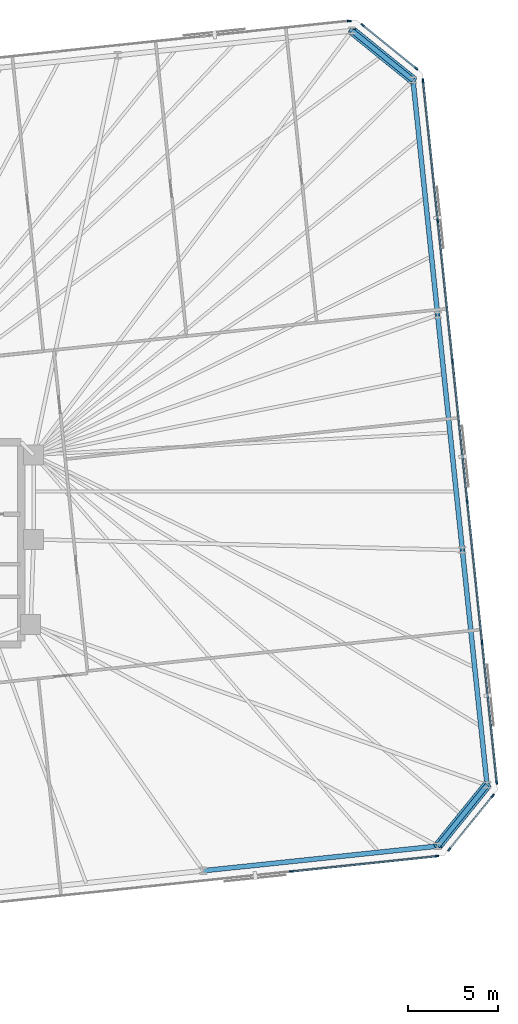
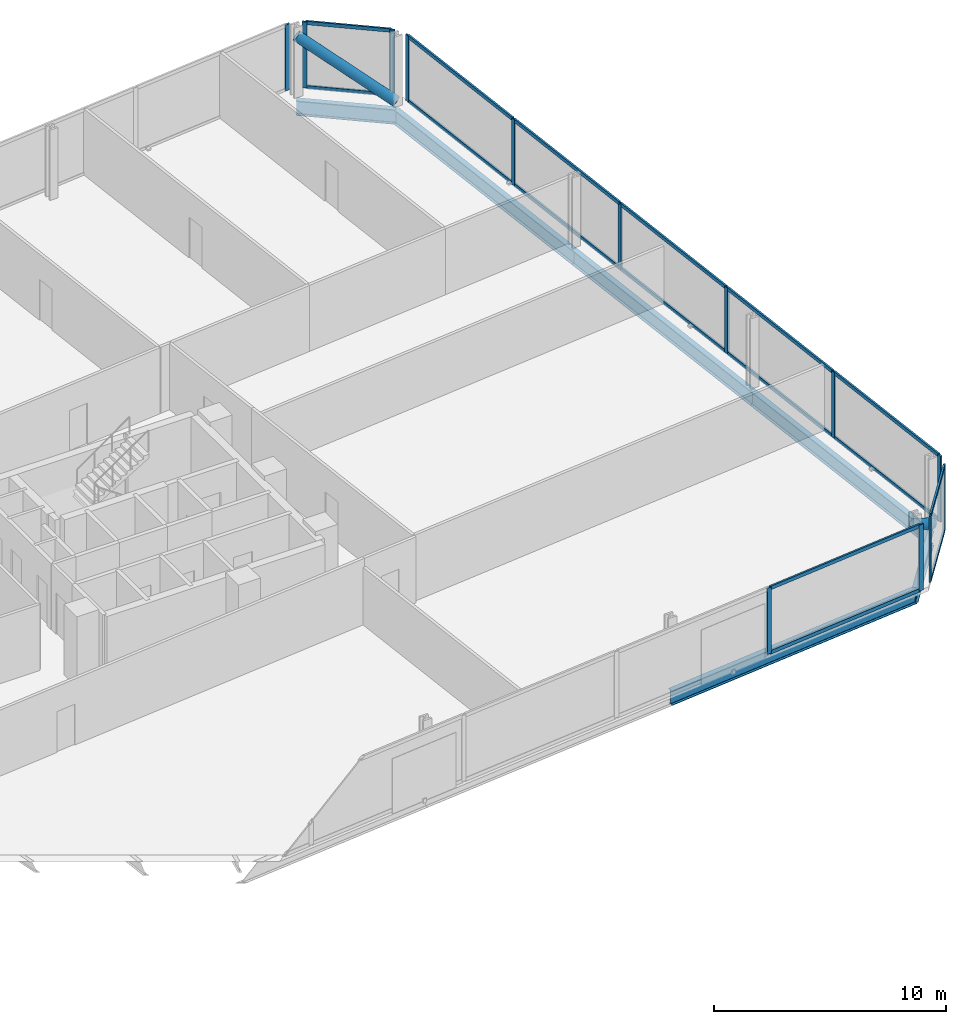
# One storey, part 12 of 18: 31 members, 6 beams, 5 elements without a shape of their own.
"""IFC4 building model written with IfcOpenShell, lengths in metres."""

from ifc_helpers import new_model, si_unit, direction, frame, origin, origin_2d, place, context, subcontext, project, spatial, rectangle, hollow_circle, i_section, extrude, material, material_profile, profile_set, type_object, element, aggregate, save


model = new_model("IFC4")

# Units and contexts
model_context = context("Model", 3, precision=1e-05, world=origin(), true_north=direction((0.0, 1.0)))
body_context = subcontext(model_context, "Body", "Model", "MODEL_VIEW")
ifc_project = project(units=[si_unit("LENGTHUNIT", "METRE"), si_unit("AREAUNIT", "SQUARE_METRE"), si_unit("VOLUMEUNIT", "CUBIC_METRE"), si_unit("PLANEANGLEUNIT", "RADIAN"), si_unit("MASSUNIT", "GRAM", prefix="KILO")], contexts=[model_context])

# Site, building, storey
site_placement = place(None, origin())
site = spatial("IfcSite", under=ifc_project, at=site_placement, CompositionType="ELEMENT")
building_placement = place(site_placement, origin())
building = spatial("IfcBuilding", under=site, at=building_placement, Name="Menara Jurai Vektor", CompositionType="ELEMENT")
storey_placement = place(building_placement, frame((0.0, 0.0, 128.10009765625)))
storey = spatial("IfcBuildingStorey", under=building, at=storey_placement, Name="L32", CompositionType="ELEMENT", Elevation=128.10009765625)

# Curtain wall, members
ifc_material_1 = material(Name="Anodised Pale Aluminium & Low-E Double Glazing", Category="aluminium")
curtain_wall_type = type_object("IfcCurtainWallType", Name="CW-BLK2", PredefinedType="NOTDEFINED", material=ifc_material_1)
curtain_wall_1_placement = place(storey_placement, origin())
curtain_wall_1 = element("IfcCurtainWall", 1, at=curtain_wall_1_placement, inside=storey, type_object=curtain_wall_type, Name="Unitised Curtain Wall L32 F01", PredefinedType="NOTDEFINED")
ifc_material_2 = material(Name="Anodised Pale Aluminium Mullion", Category="aluminium")
ifc_material_profile_1 = material_profile(ifc_material_2, rectangle(XDim=0.090087890625, YDim=0.219970703125, at=origin_2d()), Name="ALU MUL 90x220")
ifc_profile_set_1 = profile_set([ifc_material_profile_1], Name="Anodised Pale Aluminium Mullion")
member_type_1 = type_object("IfcMemberType", Name="CW-BLK2-MUL", PredefinedType="MULLION", material=ifc_profile_set_1)
member_1_placement = place(storey_placement, frame((29.52392578125, -18.169189453125, 0.0), z_axis=(0.0, 0.0, 1.0), x_axis=(-0.104528634935, 0.994521877325, 0.0)))
member_1 = element("IfcMember", 2, at=member_1_placement, type_object=member_type_1, Name="CW-02 mullion 8", PredefinedType="MULLION", context=body_context, shape_type="SweptSolid", body=[
    extrude(rectangle(XDim=0.090087890625, YDim=0.219970703125, at=origin_2d()), origin(), (0.0, 0.0, 1.0), 3.474853515625),
])
member_2_placement = place(storey_placement, frame((37.5771484375, -17.32275390625, 0.0), z_axis=(0.0, 0.0, 1.0), x_axis=(-0.104528634935, 0.994521877325, 0.0)))
member_2 = element("IfcMember", 3, at=member_2_placement, type_object=member_type_1, Name="CW-02 mullion 9", PredefinedType="MULLION", context=body_context, shape_type="SweptSolid", body=[
    extrude(rectangle(XDim=0.090087890625, YDim=0.219970703125, at=origin_2d()), origin(), (0.0, 0.0, 1.0), 3.474853515625),
])

curtain_wall_2_placement = place(storey_placement, origin())
curtain_wall_2 = element("IfcCurtainWall", 4, at=curtain_wall_2_placement, inside=storey, type_object=curtain_wall_type, Name="Unitised Curtain Wall L32 F02", PredefinedType="NOTDEFINED")
member_3_placement = place(storey_placement, frame((38.267333984375, -16.9482421875, 0.0), z_axis=(0.0, 0.0, 1.0), x_axis=(-0.777129222223, 0.62934106172, 0.0)))
member_3 = element("IfcMember", 5, at=member_3_placement, type_object=member_type_1, Name="CW-02 mullion 1", PredefinedType="MULLION", context=body_context, shape_type="SweptSolid", body=[
    extrude(rectangle(XDim=0.090087890625, YDim=0.219970703125, at=origin_2d()), origin(), (0.0, 0.0, 1.0), 3.474853515625),
])
member_4_placement = place(storey_placement, frame((40.66943359375, -13.98193359375, 0.0), z_axis=(0.0, 0.0, 1.0), x_axis=(-0.777129222223, 0.62934106172, 0.0)))
member_4 = element("IfcMember", 6, at=member_4_placement, type_object=member_type_1, Name="CW-02 mullion 2", PredefinedType="MULLION", context=body_context, shape_type="SweptSolid", body=[
    extrude(rectangle(XDim=0.090087890625, YDim=0.219970703125, at=origin_2d()), origin(), (0.0, 0.0, 1.0), 3.474853515625),
])

curtain_wall_3_placement = place(storey_placement, origin())
curtain_wall_3 = element("IfcCurtainWall", 7, at=curtain_wall_3_placement, inside=storey, type_object=curtain_wall_type, Name="Unitised Curtain Wall L32 F03", PredefinedType="NOTDEFINED")
member_5_placement = place(storey_placement, frame((40.892333984375, -13.22900390625, 0.0), z_axis=(0.0, 0.0, 1.0), x_axis=(-0.99452177832, -0.104529576902, 0.0)))
member_5 = element("IfcMember", 8, at=member_5_placement, type_object=member_type_1, Name="CW-02 mullion 1", PredefinedType="MULLION", context=body_context, shape_type="SweptSolid", body=[
    extrude(rectangle(XDim=0.090087890625, YDim=0.219970703125, at=origin_2d()), origin(), (0.0, 0.0, 1.0), 3.474853515625),
])
member_6_placement = place(storey_placement, frame((40.078857421875, -5.488525390625, 0.0), z_axis=(0.0, 0.0, 1.0), x_axis=(-0.99452177832, -0.104529576902, 0.0)))
member_6 = element("IfcMember", 9, at=member_6_placement, type_object=member_type_1, Name="CW-02 mullion 2", PredefinedType="MULLION", context=body_context, shape_type="SweptSolid", body=[
    extrude(rectangle(XDim=0.090087890625, YDim=0.219970703125, at=origin_2d()), origin(), (0.0, 0.0, 1.0), 3.474853515625),
])
member_7_placement = place(storey_placement, frame((39.260498046875, 2.296630859375, 0.0), z_axis=(0.0, 0.0, 1.0), x_axis=(-0.99452177832, -0.104529576902, 0.0)))
member_7 = element("IfcMember", 10, at=member_7_placement, type_object=member_type_1, Name="CW-02 mullion 3", PredefinedType="MULLION", context=body_context, shape_type="SweptSolid", body=[
    extrude(rectangle(XDim=0.090087890625, YDim=0.219970703125, at=origin_2d()), origin(), (0.0, 0.0, 1.0), 3.474853515625),
])
member_8_placement = place(storey_placement, frame((38.4423828125, 10.081787109375, 0.0), z_axis=(0.0, 0.0, 1.0), x_axis=(-0.99452177832, -0.104529576902, 0.0)))
member_8 = element("IfcMember", 11, at=member_8_placement, type_object=member_type_1, Name="CW-02 mullion 4", PredefinedType="MULLION", context=body_context, shape_type="SweptSolid", body=[
    extrude(rectangle(XDim=0.090087890625, YDim=0.219970703125, at=origin_2d()), origin(), (0.0, 0.0, 1.0), 3.474853515625),
])
member_9_placement = place(storey_placement, frame((37.6240234375, 17.866943359375, 0.0), z_axis=(0.0, 0.0, 1.0), x_axis=(-0.99452177832, -0.104529576902, 0.0)))
member_9 = element("IfcMember", 12, at=member_9_placement, type_object=member_type_1, Name="CW-02 mullion 5", PredefinedType="MULLION", context=body_context, shape_type="SweptSolid", body=[
    extrude(rectangle(XDim=0.090087890625, YDim=0.219970703125, at=origin_2d()), origin(), (0.0, 0.0, 1.0), 3.474853515625),
])
member_10_placement = place(storey_placement, frame((36.810546875, 25.607177734375, 0.0), z_axis=(0.0, 0.0, 1.0), x_axis=(-0.99452177832, -0.104529576902, 0.0)))
member_10 = element("IfcMember", 13, at=member_10_placement, type_object=member_type_1, Name="CW-02 mullion 6", PredefinedType="MULLION", context=body_context, shape_type="SweptSolid", body=[
    extrude(rectangle(XDim=0.090087890625, YDim=0.219970703125, at=origin_2d()), origin(), (0.0, 0.0, 1.0), 3.474853515625),
])

curtain_wall_4_placement = place(storey_placement, origin())
curtain_wall_4 = element("IfcCurtainWall", 14, at=curtain_wall_4_placement, inside=storey, type_object=curtain_wall_type, Name="Unitised Curtain Wall L32 F04", PredefinedType="NOTDEFINED")
member_11_placement = place(storey_placement, frame((36.435791015625, 26.29736328125, 0.0), z_axis=(0.0, 0.0, 1.0), x_axis=(-0.629313085353, -0.777151877437, 0.0)))
member_11 = element("IfcMember", 15, at=member_11_placement, type_object=member_type_1, Name="CW-02 mullion 1", PredefinedType="MULLION", context=body_context, shape_type="SweptSolid", body=[
    extrude(rectangle(XDim=0.090087890625, YDim=0.219970703125, at=origin_2d()), origin(), (0.0, 0.0, 1.0), 3.474853515625),
])
member_12_placement = place(storey_placement, frame((33.469482421875, 28.699462890625, 0.0), z_axis=(0.0, 0.0, 1.0), x_axis=(-0.629313085353, -0.777151877437, 0.0)))
member_12 = element("IfcMember", 16, at=member_12_placement, type_object=member_type_1, Name="CW-02 mullion 2", PredefinedType="MULLION", context=body_context, shape_type="SweptSolid", body=[
    extrude(rectangle(XDim=0.090087890625, YDim=0.219970703125, at=origin_2d()), origin(), (0.0, 0.0, 1.0), 3.474853515625),
])

# Curtain wall, member
curtain_wall_5_placement = place(storey_placement, origin())
curtain_wall_5 = element("IfcCurtainWall", 17, at=curtain_wall_5_placement, inside=storey, type_object=curtain_wall_type, Name="Unitised Curtain Wall L32 F05", PredefinedType="NOTDEFINED")
member_13_placement = place(storey_placement, frame((32.716552734375, 28.92236328125, 0.0), z_axis=(0.0, 0.0, 1.0), x_axis=(0.104528634935, -0.994521877325, 0.0)))
member_13 = element("IfcMember", 18, at=member_13_placement, type_object=member_type_1, Name="CW-02 mullion 1", PredefinedType="MULLION", context=body_context, shape_type="SweptSolid", body=[
    extrude(rectangle(XDim=0.090087890625, YDim=0.219970703125, at=origin_2d()), origin(), (0.0, 0.0, 1.0), 3.474853515625),
])
aggregate(curtain_wall_5, [member_13])

# Member
ifc_material_3 = material(Name="Anodised Pale Aluminium Transom", Category="aluminium")
ifc_material_profile_2 = material_profile(ifc_material_3, rectangle(XDim=0.090087890625, YDim=0.18505859375, at=origin_2d()), Name="ALU TRN 90x185")
ifc_profile_set_2 = profile_set([ifc_material_profile_2], Name="Anodised Pale Aluminium Transom")
member_type_2 = type_object("IfcMemberType", Name="CW-BLK2-TRN", PredefinedType="USERDEFINED", material=ifc_profile_set_2)
member_14_placement = place(storey_placement, frame((29.56884765625, -18.16455078125, 0.044921875), z_axis=(0.994519977808, 0.104546706027, 0.0), x_axis=(-0.104546706027, 0.994519977808, 0.0)))
member_14 = element("IfcMember", 19, at=member_14_placement, type_object=member_type_2, Name="CW-02 transom 8.1", ObjectType="TRANSOM", PredefinedType="USERDEFINED", context=body_context, shape_type="SweptSolid", body=[
    extrude(rectangle(XDim=0.090087890625, YDim=0.18505859375, at=origin_2d()), origin(), (0.0, 0.0, 1.0), 8.007568359375),
])

member_15_placement = place(storey_placement, frame((29.56884765625, -18.16455078125, 3.429931640625), z_axis=(0.994519977808, 0.104546706027, 0.0), x_axis=(-0.104546706027, 0.994519977808, 0.0)))
member_15 = element("IfcMember", 20, at=member_15_placement, type_object=member_type_2, Name="CW-02 transom 8.2", ObjectType="TRANSOM", PredefinedType="USERDEFINED", context=body_context, shape_type="SweptSolid", body=[
    extrude(rectangle(XDim=0.090087890625, YDim=0.18505859375, at=origin_2d()), origin(), (0.0, 0.0, 1.0), 8.007568359375),
])

aggregate(curtain_wall_1, [member_1, member_2, member_14, member_15])

member_16_placement = place(storey_placement, frame((38.295654296875, -16.9130859375, 0.044921875), z_axis=(0.6293414396, 0.777128916205, 0.0), x_axis=(-0.777128916205, 0.6293414396, 0.0)))
member_16 = element("IfcMember", 21, at=member_16_placement, type_object=member_type_2, Name="CW-02 transom 1.1", ObjectType="TRANSOM", PredefinedType="USERDEFINED", context=body_context, shape_type="SweptSolid", body=[
    extrude(rectangle(XDim=0.090087890625, YDim=0.18505859375, at=origin_2d()), origin(), (0.0, 0.0, 1.0), 3.726806640625),
])

member_17_placement = place(storey_placement, frame((38.295654296875, -16.9130859375, 3.429931640625), z_axis=(0.6293414396, 0.777128916205, 0.0), x_axis=(-0.777128916205, 0.6293414396, 0.0)))
member_17 = element("IfcMember", 22, at=member_17_placement, type_object=member_type_2, Name="CW-02 transom 1.2", ObjectType="TRANSOM", PredefinedType="USERDEFINED", context=body_context, shape_type="SweptSolid", body=[
    extrude(rectangle(XDim=0.090087890625, YDim=0.18505859375, at=origin_2d()), origin(), (0.0, 0.0, 1.0), 3.726806640625),
])

aggregate(curtain_wall_2, [member_3, member_4, member_16, member_17])

member_18_placement = place(storey_placement, frame((40.8876953125, -13.18408203125, 0.044921875), z_axis=(-0.104536105602, 0.994521092097, 0.0), x_axis=(-0.994521092097, -0.104536105602, 0.0)))
member_18 = element("IfcMember", 23, at=member_18_placement, type_object=member_type_2, Name="CW-02 transom 1.1", ObjectType="TRANSOM", PredefinedType="USERDEFINED", context=body_context, shape_type="SweptSolid", body=[
    extrude(rectangle(XDim=0.090087890625, YDim=0.18505859375, at=origin_2d()), origin(), (0.0, 0.0, 1.0), 7.693115234375),
])

member_19_placement = place(storey_placement, frame((40.8876953125, -13.18408203125, 3.429931640625), z_axis=(-0.104536105602, 0.994521092097, 0.0), x_axis=(-0.994521092097, -0.104536105602, 0.0)))
member_19 = element("IfcMember", 24, at=member_19_placement, type_object=member_type_2, Name="CW-02 transom 1.2", ObjectType="TRANSOM", PredefinedType="USERDEFINED", context=body_context, shape_type="SweptSolid", body=[
    extrude(rectangle(XDim=0.090087890625, YDim=0.18505859375, at=origin_2d()), origin(), (0.0, 0.0, 1.0), 7.693115234375),
])

member_20_placement = place(storey_placement, frame((40.07421875, -5.44384765625, 0.044921875), z_axis=(-0.104528756613, 0.994521864536, 0.0), x_axis=(-0.994521864536, -0.104528756613, 0.0)))
member_20 = element("IfcMember", 25, at=member_20_placement, type_object=member_type_2, Name="CW-02 transom 2.1", ObjectType="TRANSOM", PredefinedType="USERDEFINED", context=body_context, shape_type="SweptSolid", body=[
    extrude(rectangle(XDim=0.090087890625, YDim=0.18505859375, at=origin_2d()), origin(), (0.0, 0.0, 1.0), 7.738037109375),
])

member_21_placement = place(storey_placement, frame((40.07421875, -5.44384765625, 3.429931640625), z_axis=(-0.104528756613, 0.994521864536, 0.0), x_axis=(-0.994521864536, -0.104528756613, 0.0)))
member_21 = element("IfcMember", 26, at=member_21_placement, type_object=member_type_2, Name="CW-02 transom 2.2", ObjectType="TRANSOM", PredefinedType="USERDEFINED", context=body_context, shape_type="SweptSolid", body=[
    extrude(rectangle(XDim=0.090087890625, YDim=0.18505859375, at=origin_2d()), origin(), (0.0, 0.0, 1.0), 7.738037109375),
])

member_22_placement = place(storey_placement, frame((39.255859375, 2.34130859375, 0.044921875), z_axis=(-0.104528756613, 0.994521864536, 0.0), x_axis=(-0.994521864536, -0.104528756613, 0.0)))
member_22 = element("IfcMember", 27, at=member_22_placement, type_object=member_type_2, Name="CW-02 transom 3.1", ObjectType="TRANSOM", PredefinedType="USERDEFINED", context=body_context, shape_type="SweptSolid", body=[
    extrude(rectangle(XDim=0.090087890625, YDim=0.18505859375, at=origin_2d()), origin(), (0.0, 0.0, 1.0), 7.738037109375),
])

member_23_placement = place(storey_placement, frame((39.255859375, 2.34130859375, 3.429931640625), z_axis=(-0.104528756613, 0.994521864536, 0.0), x_axis=(-0.994521864536, -0.104528756613, 0.0)))
member_23 = element("IfcMember", 28, at=member_23_placement, type_object=member_type_2, Name="CW-02 transom 3.2", ObjectType="TRANSOM", PredefinedType="USERDEFINED", context=body_context, shape_type="SweptSolid", body=[
    extrude(rectangle(XDim=0.090087890625, YDim=0.18505859375, at=origin_2d()), origin(), (0.0, 0.0, 1.0), 7.738037109375),
])

member_24_placement = place(storey_placement, frame((38.4375, 10.12646484375, 0.044921875), z_axis=(-0.104528756613, 0.994521864536, 0.0), x_axis=(-0.994521864536, -0.104528756613, 0.0)))
member_24 = element("IfcMember", 29, at=member_24_placement, type_object=member_type_2, Name="CW-02 transom 4.1", ObjectType="TRANSOM", PredefinedType="USERDEFINED", context=body_context, shape_type="SweptSolid", body=[
    extrude(rectangle(XDim=0.090087890625, YDim=0.18505859375, at=origin_2d()), origin(), (0.0, 0.0, 1.0), 7.738037109375),
])

member_25_placement = place(storey_placement, frame((38.4375, 10.12646484375, 3.429931640625), z_axis=(-0.104528756613, 0.994521864536, 0.0), x_axis=(-0.994521864536, -0.104528756613, 0.0)))
member_25 = element("IfcMember", 30, at=member_25_placement, type_object=member_type_2, Name="CW-02 transom 4.2", ObjectType="TRANSOM", PredefinedType="USERDEFINED", context=body_context, shape_type="SweptSolid", body=[
    extrude(rectangle(XDim=0.090087890625, YDim=0.18505859375, at=origin_2d()), origin(), (0.0, 0.0, 1.0), 7.738037109375),
])

member_26_placement = place(storey_placement, frame((37.619384765625, 17.91162109375, 0.044921875), z_axis=(-0.104536105602, 0.994521092097, 0.0), x_axis=(-0.994521092097, -0.104536105602, 0.0)))
member_26 = element("IfcMember", 31, at=member_26_placement, type_object=member_type_2, Name="CW-02 transom 5.1", ObjectType="TRANSOM", PredefinedType="USERDEFINED", context=body_context, shape_type="SweptSolid", body=[
    extrude(rectangle(XDim=0.090087890625, YDim=0.18505859375, at=origin_2d()), origin(), (0.0, 0.0, 1.0), 7.693115234375),
])

member_27_placement = place(storey_placement, frame((37.619384765625, 17.91162109375, 3.429931640625), z_axis=(-0.104536105602, 0.994521092097, 0.0), x_axis=(-0.994521092097, -0.104536105602, 0.0)))
member_27 = element("IfcMember", 32, at=member_27_placement, type_object=member_type_2, Name="CW-02 transom 5.2", ObjectType="TRANSOM", PredefinedType="USERDEFINED", context=body_context, shape_type="SweptSolid", body=[
    extrude(rectangle(XDim=0.090087890625, YDim=0.18505859375, at=origin_2d()), origin(), (0.0, 0.0, 1.0), 7.693115234375),
])

aggregate(curtain_wall_3, [member_5, member_6, member_7, member_8, member_9, member_10, member_18, member_19, member_20, member_21, member_22, member_23, member_24, member_25, member_26, member_27])

member_28_placement = place(storey_placement, frame((36.40087890625, 26.32568359375, 0.044921875), z_axis=(-0.77715486027, 0.629309401772, 0.0), x_axis=(-0.629309401772, -0.77715486027, 0.0)))
member_28 = element("IfcMember", 33, at=member_28_placement, type_object=member_type_2, Name="CW-02 transom 1.1", ObjectType="TRANSOM", PredefinedType="USERDEFINED", context=body_context, shape_type="SweptSolid", body=[
    extrude(rectangle(XDim=0.090087890625, YDim=0.18505859375, at=origin_2d()), origin(), (0.0, 0.0, 1.0), 3.72705078125),
])

member_29_placement = place(storey_placement, frame((36.40087890625, 26.32568359375, 3.429931640625), z_axis=(-0.77715486027, 0.629309401772, 0.0), x_axis=(-0.629309401772, -0.77715486027, 0.0)))
member_29 = element("IfcMember", 34, at=member_29_placement, type_object=member_type_2, Name="CW-02 transom 1.2", ObjectType="TRANSOM", PredefinedType="USERDEFINED", context=body_context, shape_type="SweptSolid", body=[
    extrude(rectangle(XDim=0.090087890625, YDim=0.18505859375, at=origin_2d()), origin(), (0.0, 0.0, 1.0), 3.72705078125),
])

aggregate(curtain_wall_4, [member_11, member_12, member_28, member_29])

# Members
ifc_material_4 = material(Name="Steel S460", Category="steel")
ifc_material_profile_3 = material_profile(ifc_material_4, hollow_circle(Radius=0.25390625, WallThickness=0.02001953125, at=origin_2d()), Name="CHS 508x20")
ifc_profile_set_3 = profile_set([ifc_material_profile_3], Name="Steel S460")
member_type_3 = type_object("IfcMemberType", Name="STR-BR-508", PredefinedType="BRACE", material=ifc_profile_set_3)
for number, where, z_axis, x_axis, name in (
    (35, (40.356201171875, -13.388671875, 0.14990234375), (-0.519271719394, -0.641207846359, 0.564986176119), (0.777127086072, -0.629343699494, 0.0), "Exoskeleton Corner Brace L32-1"),
    (36, (36.252685546875, 25.65185546875, 0.14990234375), (-0.641207846359, 0.519271719394, 0.564986176119), (-0.629343699494, -0.777127086072, 0.0), "Exoskeleton Corner Brace L32-2"),
):
    element("IfcMember", number, at=place(storey_placement, frame(where, z_axis=z_axis, x_axis=x_axis)), inside=storey, type_object=member_type_3, Name=name, PredefinedType="BRACE", context=body_context, shape_type="SweptSolid", body=[
        extrude(hollow_circle(Radius=0.25390625, WallThickness=0.02001953125, at=origin_2d()), origin(), (0.0, 0.0, 1.0), 5.265869140625),
    ])

# Beams
ifc_material_profile_4 = material_profile(ifc_material_4, i_section(OverallWidth=0.26806640625, OverallDepth=0.77001953125, WebThickness=0.01611328125, FlangeThickness=0.02490234375, FilletRadius=0.01708984375, at=origin_2d()), Name="UKB 762x267x197")
ifc_profile_set_4 = profile_set([ifc_material_profile_4], Name="Steel S460")
beam_type = type_object("IfcBeamType", Name="STR-SP-762", PredefinedType="SPANDREL", material=ifc_profile_set_4)
beam_1_placement = place(storey_placement, frame((24.64208984375, -18.12939453125, -0.610107421875), z_axis=(0.994521636083, 0.104530930169, 0.0), x_axis=(-0.104530930169, 0.994521636083, 0.0)))
element("IfcBeam", 37, at=beam_1_placement, inside=storey, type_object=beam_type, Name="Exoskeleton Spandrel Beam L32-05", PredefinedType="SPANDREL", context=body_context, shape_type="SweptSolid", body=[
    extrude(i_section(OverallWidth=0.26806640625, OverallDepth=0.77001953125, WebThickness=0.01611328125, FlangeThickness=0.02490234375, FilletRadius=0.01708984375, at=origin_2d()), origin(), (0.0, 0.0, 1.0), 13.05126953125),
])
beam_2_placement = place(storey_placement, frame((37.621826171875, -16.76513671875, -0.610107421875), z_axis=(0.629343699494, 0.777127086072, 0.0), x_axis=(-0.777127086072, 0.629343699494, 0.0)))
element("IfcBeam", 38, at=beam_2_placement, inside=storey, type_object=beam_type, Name="Exoskeleton Spandrel Beam L32-06", PredefinedType="SPANDREL", context=body_context, shape_type="SweptSolid", body=[
    extrude(i_section(OverallWidth=0.26806640625, OverallDepth=0.77001953125, WebThickness=0.01611328125, FlangeThickness=0.02490234375, FilletRadius=0.01708984375, at=origin_2d()), origin(), (0.0, 0.0, 1.0), 4.3447265625),
])
beam_3_placement = place(storey_placement, frame((40.356201171875, -13.388671875, -0.610107421875), z_axis=(-0.104538130097, 0.994520879296, 0.0), x_axis=(-0.994520879296, -0.104538130097, 0.0)))
element("IfcBeam", 39, at=beam_3_placement, inside=storey, type_object=beam_type, Name="Exoskeleton Spandrel Beam L32-07", PredefinedType="SPANDREL", context=body_context, shape_type="SweptSolid", body=[
    extrude(i_section(OverallWidth=0.26806640625, OverallDepth=0.77001953125, WebThickness=0.01611328125, FlangeThickness=0.02490234375, FilletRadius=0.01708984375, at=origin_2d()), origin(), (0.0, 0.0, 1.0), 13.08544921875),
])
beam_4_placement = place(storey_placement, frame((38.98828125, -0.375, -0.610107421875), z_axis=(-0.104521615846, 0.994522615037, 0.0), x_axis=(-0.994522615037, -0.104521615846, 0.0)))
element("IfcBeam", 40, at=beam_4_placement, inside=storey, type_object=beam_type, Name="Exoskeleton Spandrel Beam L32-08", PredefinedType="SPANDREL", context=body_context, shape_type="SweptSolid", body=[
    extrude(i_section(OverallWidth=0.26806640625, OverallDepth=0.77001953125, WebThickness=0.01611328125, FlangeThickness=0.02490234375, FilletRadius=0.01708984375, at=origin_2d()), origin(), (0.0, 0.0, 1.0), 13.085205078125),
])
beam_5_placement = place(storey_placement, frame((37.62060546875, 12.638427734375, -0.610107421875), z_axis=(-0.104538130097, 0.994520879296, 0.0), x_axis=(-0.994520879296, -0.104538130097, 0.0)))
element("IfcBeam", 41, at=beam_5_placement, inside=storey, type_object=beam_type, Name="Exoskeleton Spandrel Beam L32-09", PredefinedType="SPANDREL", context=body_context, shape_type="SweptSolid", body=[
    extrude(i_section(OverallWidth=0.26806640625, OverallDepth=0.77001953125, WebThickness=0.01611328125, FlangeThickness=0.02490234375, FilletRadius=0.01708984375, at=origin_2d()), origin(), (0.0, 0.0, 1.0), 13.08544921875),
])
beam_6_placement = place(storey_placement, frame((36.252685546875, 25.652099609375, -0.610107421875), z_axis=(-0.777154568396, 0.629309762217, 0.0), x_axis=(-0.629309762217, -0.777154568396, 0.0)))
element("IfcBeam", 42, at=beam_6_placement, inside=storey, type_object=beam_type, Name="Exoskeleton Spandrel Beam L32-10", PredefinedType="SPANDREL", context=body_context, shape_type="SweptSolid", body=[
    extrude(i_section(OverallWidth=0.26806640625, OverallDepth=0.77001953125, WebThickness=0.01611328125, FlangeThickness=0.02490234375, FilletRadius=0.01708984375, at=origin_2d()), origin(), (0.0, 0.0, 1.0), 4.3447265625),
])

save(model, "model.ifc")
